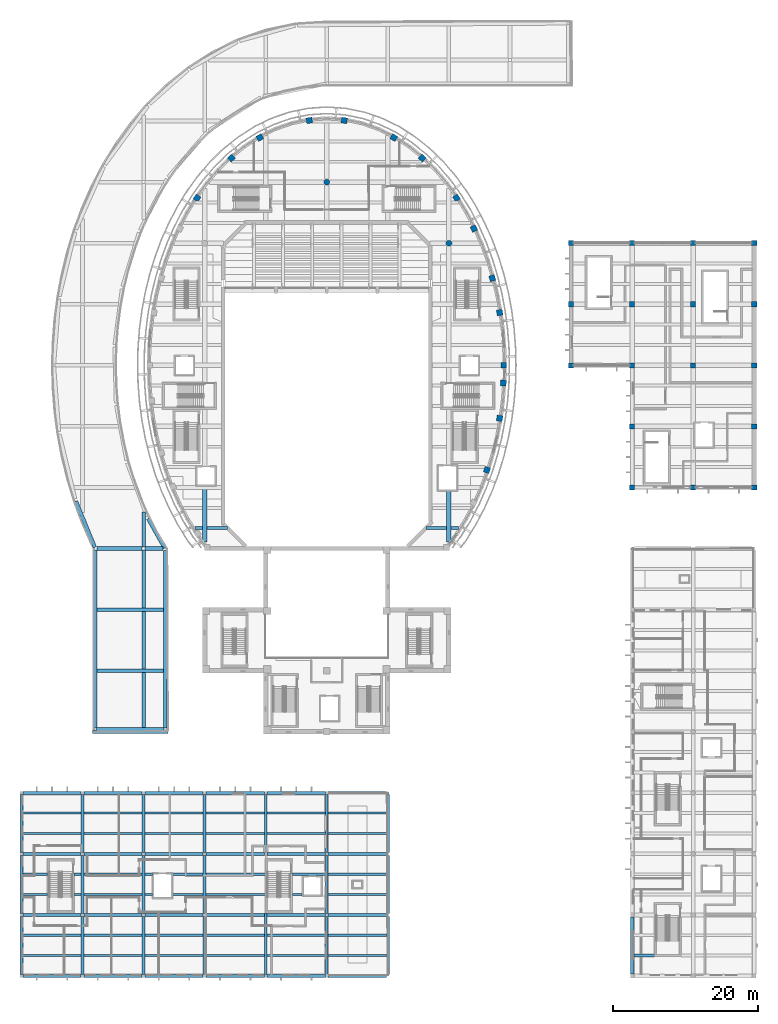
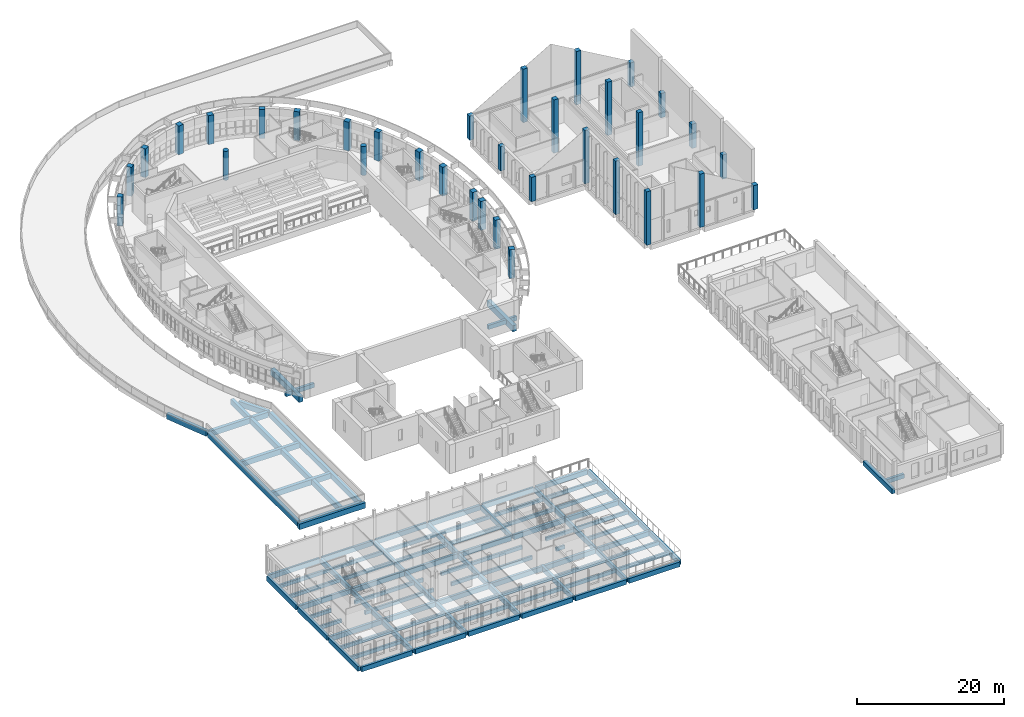
# One storey, part 2 of 79: 103 beams, 34 columns.
"""IFC4 building model written with IfcOpenShell, lengths in metres."""

import ifcopenshell
import ifcopenshell.guid

model = None  # the IFC model being written
_history = None  # IfcOwnerHistory: only IFC2X3 demands one
_inside = {}  # id of a spatial element -> (the spatial element, [elements in it])
_under = {}  # id of a project, library or spatial element -> (it, [spatial elements below it])
_declared = {}  # id of a project -> (the project, [libraries it declares])
_typed = {}  # id of a type object -> (the type object, [elements of that type])
_made_of = {}  # id of a material, layer set ... -> (it, [elements and type objects made of it])


def new_model(schema):
    """Start an empty IFC model of exactly this schema.

    Asked for "IFC4X3", IfcOpenShell would pick the latest addendum, in which some entities
    have other attributes; the version numbers below select the first issue.
    IFC2X3 requires an IfcOwnerHistory on every rooted entity: one is made here for all.
    """
    global model, _history
    if schema == "IFC4X3":
        model = ifcopenshell.file(schema_version=(4, 3, 0, 0))
    else:
        model = ifcopenshell.file(schema=schema)
    _inside.clear()
    _under.clear()
    _declared.clear()
    _typed.clear()
    _made_of.clear()
    _history = None
    if model.schema == "IFC2X3":
        org = make("IfcOrganization", Name="unknown")
        user = make(
            "IfcPersonAndOrganization",
            ThePerson=make("IfcPerson", FamilyName="unknown"),
            TheOrganization=org,
        )
        app = make(
            "IfcApplication",
            ApplicationDeveloper=org,
            Version="unknown",
            ApplicationFullName="unknown",
            ApplicationIdentifier="unknown",
        )
        _history = make(
            "IfcOwnerHistory",
            OwningUser=user,
            OwningApplication=app,
            ChangeAction="ADDED",
            CreationDate=0,
        )
    return model


def make(cls, **values):
    """One entity of the class cls with the attributes given. An attribute that is None is left unset."""
    return model.create_entity(
        cls, **{name: value for name, value in values.items() if value is not None}
    )


def rooted(cls, **values):
    """An entity with a GlobalId (a new one), such as an element, a storey or a relation."""
    return make(cls, GlobalId=ifcopenshell.guid.new(), OwnerHistory=_history, **values)


def si_unit(unit_type, name, prefix=None):
    """IfcSIUnit, for example si_unit("LENGTHUNIT", "METRE", prefix="MILLI")."""
    return make("IfcSIUnit", UnitType=unit_type, Prefix=prefix, Name=name)


def assignment(units):
    """IfcUnitAssignment: the units of a project."""
    return None if units is None else make("IfcUnitAssignment", Units=units)


def point(xyz):
    """IfcCartesianPoint."""
    return None if xyz is None else make("IfcCartesianPoint", Coordinates=xyz)


def direction(xyz):
    """IfcDirection."""
    return None if xyz is None else make("IfcDirection", DirectionRatios=xyz)


def frame(location, z_axis=None, x_axis=None):
    """IfcAxis2Placement3D, a coordinate frame: its origin and axes. An axis left out is left unset."""
    return make(
        "IfcAxis2Placement3D",
        Location=point(location),
        Axis=direction(z_axis),
        RefDirection=direction(x_axis),
    )


def frame_2d(location, x_axis=None):
    """IfcAxis2Placement2D, a coordinate frame in the plane: its origin and x axis."""
    return make(
        "IfcAxis2Placement2D", Location=point(location), RefDirection=direction(x_axis)
    )


def origin():
    """The frame at (0, 0, 0) with its axes left unset."""
    return frame((0.0, 0.0, 0.0))


def origin_2d():
    """The frame at (0, 0) in the plane with its x axis left unset."""
    return frame_2d((0.0, 0.0))


def place(relative_to, where):
    """IfcLocalPlacement: puts the frame where relative to a parent placement (None: the world)."""
    return make(
        "IfcLocalPlacement", PlacementRelTo=relative_to, RelativePlacement=where
    )


def context(
    kind, dimensions, precision=None, world=None, true_north=None, identifier=None
):
    """IfcGeometricRepresentationContext, for example the 3D "Model" context."""
    return make(
        "IfcGeometricRepresentationContext",
        ContextIdentifier=identifier,
        ContextType=kind,
        CoordinateSpaceDimension=dimensions,
        Precision=precision,
        WorldCoordinateSystem=world,
        TrueNorth=true_north,
    )


def subcontext(parent, identifier, kind, view, scale=None):
    """IfcGeometricRepresentationSubContext, for example "Body" below "Model"."""
    return make(
        "IfcGeometricRepresentationSubContext",
        ContextIdentifier=identifier,
        ContextType=kind,
        ParentContext=parent,
        TargetScale=scale,
        TargetView=view,
    )


def project(units=None, contexts=None):
    """IfcProject with its units and contexts."""
    return rooted(
        "IfcProject",
        Name="project",
        RepresentationContexts=contexts,
        UnitsInContext=assignment(units),
    )


def spatial(cls, under=None, at=None, **own):
    """A site, building, storey or space (cls), placed at a placement, below another one or the project."""
    s = rooted(cls, ObjectPlacement=at, **own)
    if under is not None:
        _under.setdefault(under.id(), (under, []))[1].append(s)
    return s


def profile(cls, at=None, kind="AREA", **sizes):
    """A parametric profile (cls). Its sizes go by their IFC names, for example OverallWidth=200.0."""
    return make(cls, ProfileType=kind, Position=at, **sizes)


def rectangle(**sizes):
    """IfcRectangleProfileDef."""
    return profile("IfcRectangleProfileDef", **sizes)


def circle(**sizes):
    """IfcCircleProfileDef."""
    return profile("IfcCircleProfileDef", **sizes)


def extrude(swept, where, along, depth):
    """IfcExtrudedAreaSolid: the profile swept, set in the frame where, extruded along a direction by depth."""
    return make(
        "IfcExtrudedAreaSolid",
        SweptArea=swept,
        Position=where,
        ExtrudedDirection=direction(along),
        Depth=depth,
    )


def shape(context_of_items, identifier, shape_type, items):
    """IfcShapeRepresentation: the items that make up one representation, for example the "Body"."""
    return make(
        "IfcShapeRepresentation",
        ContextOfItems=context_of_items,
        RepresentationIdentifier=identifier,
        RepresentationType=shape_type,
        Items=items,
    )


def material(Name=None, Category=None):
    """IfcMaterial."""
    return make("IfcMaterial", Name=Name, Category=Category)


def material_profile(
    of_material, cross_section, Name=None, Category=None, Priority=None
):
    """IfcMaterialProfile: a cross section and its material."""
    return make(
        "IfcMaterialProfile",
        Name=Name,
        Material=of_material,
        Profile=cross_section,
        Priority=Priority,
        Category=Category,
    )


def profile_set(profiles, Name=None, composite=None):
    """IfcMaterialProfileSet."""
    return make(
        "IfcMaterialProfileSet",
        Name=Name,
        MaterialProfiles=profiles,
        CompositeProfile=composite,
    )


def made_of(thing, what):
    """Note that an element or type object is made of a material, layer set ...; save() writes the relation."""
    if what is not None:
        _made_of.setdefault(what.id(), (what, []))[1].append(thing)
    return thing


def type_object(cls, material=None, **own):
    """A type object (cls), such as IfcWallType, which elements share."""
    return made_of(rooted(cls, **own), material)


def element(
    cls,
    number,
    at=None,
    inside=None,
    cuts=None,
    type_object=None,
    material=None,
    context=None,
    identifier="Body",
    shape_type=None,
    held_by="IfcProductDefinitionShape",
    body=None,
    shapes=None,
    **own,
):
    """One element of the class cls, such as IfcWall. Its Tag is "e" and its number.

    at: its placement. inside: the storey or other place that contains it. cuts: it is an
    opening in that element (IfcRelVoidsElement). A single representation is given by context,
    identifier, shape_type and body (its items); several are given by shapes. held_by: the class
    of the entity that holds the representations. save() writes the other relations.
    """
    e = rooted(cls, Tag="e%d" % number, ObjectPlacement=at, **own)
    if body is not None:
        shapes = [shape(context, identifier, shape_type, body)]
    if shapes is not None:
        e.Representation = make(held_by, Representations=shapes)
    if inside is not None:
        _inside.setdefault(inside.id(), (inside, []))[1].append(e)
    if cuts is not None:
        rooted(
            "IfcRelVoidsElement", RelatingBuildingElement=cuts, RelatedOpeningElement=e
        )
    if type_object is not None:
        _typed.setdefault(type_object.id(), (type_object, []))[1].append(e)
    return made_of(e, material)


def aggregate(whole, parts):
    """IfcRelAggregates: a whole, such as a stair, and the parts it consists of."""
    return rooted("IfcRelAggregates", RelatingObject=whole, RelatedObjects=parts)


def save(model, path):
    """Write the relations noted so far, then the file.

    IfcRelAggregates (storeys below a building ...), IfcRelContainedInSpatialStructure (elements
    in a storey), IfcRelDefinesByType, IfcRelAssociatesMaterial and IfcRelDeclares: one each for
    every whole, place, type object, material and project.
    """
    for whole, parts in _under.values():
        aggregate(whole, parts)
    for where, things in _inside.values():
        rooted(
            "IfcRelContainedInSpatialStructure",
            RelatedElements=things,
            RelatingStructure=where,
        )
    for kind, things in _typed.values():
        rooted("IfcRelDefinesByType", RelatedObjects=things, RelatingType=kind)
    for what, things in _made_of.values():
        rooted("IfcRelAssociatesMaterial", RelatedObjects=things, RelatingMaterial=what)
    for by, libraries in _declared.values():
        rooted("IfcRelDeclares", RelatingContext=by, RelatedDefinitions=libraries)
    model.write(path)


model = new_model("IFC4")

# Units and contexts
model_context = context("Model", 3, precision=1e-05, world=origin(), true_north=direction((0.0, 1.0)))
body_context = subcontext(model_context, "Body", "Model", "MODEL_VIEW")
ifc_project = project(units=[si_unit("LENGTHUNIT", "METRE"), si_unit("AREAUNIT", "SQUARE_METRE"), si_unit("VOLUMEUNIT", "CUBIC_METRE"), si_unit("PLANEANGLEUNIT", "RADIAN"), si_unit("MASSUNIT", "GRAM", prefix="KILO")], contexts=[model_context])

# Site, building, storey
site_placement = place(None, origin())
site = spatial("IfcSite", under=ifc_project, at=site_placement, CompositionType="ELEMENT")
building_placement = place(site_placement, origin())
building = spatial("IfcBuilding", under=site, at=building_placement, Name="Larchfold Concert Hall", CompositionType="ELEMENT")
storey_placement = place(building_placement, frame((0.0, 0.0, 14.39990234375)))
storey = spatial("IfcBuildingStorey", under=building, at=storey_placement, Name="L03", CompositionType="ELEMENT", Elevation=14.39990234375)

# Columns
ifc_material_1 = material(Name="Concrete C35/45", Category="concrete")
ifc_material_profile_1 = material_profile(ifc_material_1, rectangle(XDim=0.699951171875, YDim=0.699951171875, at=origin_2d()))
ifc_profile_set_1 = profile_set([ifc_material_profile_1], Name="Concrete C35/45")
column_type_1 = type_object("IfcColumnType", Name="Column RC 700x700", PredefinedType="COLUMN", material=ifc_profile_set_1)
for number, where, z_axis, x_axis, name in (
    (1, (76.199951171875, 84.60009765625, 0.0), (0.0, 0.0, 1.0), (1.0, 0.0, 0.0), "Column C0045"),
    (2, (76.199951171875, 93.0, 0.0), (0.0, 0.0, 1.0), (1.0, 0.0, 0.0), "Column C0046"),
    (3, (76.199951171875, 101.39990234375, 0.0), (0.0, 0.0, 1.0), (1.0, 0.0, 0.0), "Column C0047"),
):
    element("IfcColumn", number, at=place(storey_placement, frame(where, z_axis=z_axis, x_axis=x_axis)), inside=storey, type_object=column_type_1, Name=name, PredefinedType="COLUMN", context=body_context, shape_type="SweptSolid", body=[
        extrude(rectangle(XDim=0.699951171875, YDim=0.699951171875, at=origin_2d()), origin(), (0.0, 0.0, 1.0), 4.024658203125),
    ])
for number, where, z_axis, x_axis, name in (
    (4, (84.60009765625, 67.800048828125, 0.0), (0.0, 0.0, 1.0), (1.0, 0.0, 0.0), "Column C0048"),
    (5, (84.60009765625, 76.199951171875, 0.0), (0.0, 0.0, 1.0), (1.0, 0.0, 0.0), "Column C0049"),
    (6, (84.60009765625, 84.60009765625, 0.0), (0.0, 0.0, 1.0), (1.0, 0.0, 0.0), "Column C0050"),
    (7, (84.60009765625, 93.0, 0.0), (0.0, 0.0, 1.0), (1.0, 0.0, 0.0), "Column C0051"),
    (8, (84.60009765625, 101.39990234375, 0.0), (0.0, 0.0, 1.0), (1.0, 0.0, 0.0), "Column C0052"),
    (9, (93.0, 67.800048828125, 0.0), (0.0, 0.0, 1.0), (1.0, 0.0, 0.0), "Column C0053"),
    (10, (93.0, 84.60009765625, 0.0), (0.0, 0.0, 1.0), (1.0, 0.0, 0.0), "Column C0054"),
    (11, (93.0, 93.0, 0.0), (0.0, 0.0, 1.0), (1.0, 0.0, 0.0), "Column C0055"),
    (12, (93.0, 101.39990234375, 0.0), (0.0, 0.0, 1.0), (1.0, 0.0, 0.0), "Column C0056"),
):
    element("IfcColumn", number, at=place(storey_placement, frame(where, z_axis=z_axis, x_axis=x_axis)), inside=storey, type_object=column_type_1, Name=name, PredefinedType="COLUMN", context=body_context, shape_type="SweptSolid", body=[
        extrude(rectangle(XDim=0.699951171875, YDim=0.699951171875, at=origin_2d()), origin(), (0.0, 0.0, 1.0), 8.874267578125),
    ])
for number, where, z_axis, x_axis, name in (
    (13, (101.39990234375, 67.800048828125, 0.0), (0.0, 0.0, 1.0), (1.0, 0.0, 0.0), "Column C0057"),
    (14, (101.39990234375, 76.199951171875, 0.0), (0.0, 0.0, 1.0), (1.0, 0.0, 0.0), "Column C0058"),
    (15, (101.39990234375, 84.60009765625, 0.0), (0.0, 0.0, 1.0), (1.0, 0.0, 0.0), "Column C0059"),
    (16, (101.39990234375, 93.0, 0.0), (0.0, 0.0, 1.0), (1.0, 0.0, 0.0), "Column C0060"),
    (17, (101.39990234375, 101.39990234375, 0.0), (0.0, 0.0, 1.0), (1.0, 0.0, 0.0), "Column C0061"),
):
    element("IfcColumn", number, at=place(storey_placement, frame(where, z_axis=z_axis, x_axis=x_axis)), inside=storey, type_object=column_type_1, Name=name, PredefinedType="COLUMN", context=body_context, shape_type="SweptSolid", body=[
        extrude(rectangle(XDim=0.699951171875, YDim=0.699951171875, at=origin_2d()), origin(), (0.0, 0.0, 1.0), 4.024658203125),
    ])
ifc_material_2 = material(Name="Concrete C35/45", Category="concrete")
ifc_material_profile_2 = material_profile(ifc_material_2, rectangle(XDim=0.800048828125, YDim=0.800048828125, at=origin_2d()))
ifc_profile_set_2 = profile_set([ifc_material_profile_2], Name="Concrete C35/45")
column_type_2 = type_object("IfcColumnType", Name="Column RC 800x800", PredefinedType="COLUMN", material=ifc_profile_set_2)
for number, where, z_axis, x_axis, name in (
    (18, (66.9501953125, 84.60009765625, 0.0), (0.0, 0.0, 1.0), (0.999999999998, 2.069699e-06, 0.0), "Column C9001"),
    (19, (66.384765625, 91.849609375, 0.0), (0.0, 0.0, 1.0), (0.987778077668, 0.155866831876, 0.0), "Column C9002"),
    (20, (65.3701171875, 96.591796875, 0.0), (0.0, 0.0, 1.0), (0.964788079418, 0.263028442973, 0.0), "Column C9003"),
    (21, (62.845458984375, 103.404296875, 0.0), (0.0, 0.0, 1.0), (0.901263073046, 0.433272285247, 0.0), "Column C9004"),
    (22, (60.453369140625, 107.615478515625, 0.0), (0.0, 0.0, 1.0), (0.831867887413, 0.55497370919, 0.0), "Column C9005"),
    (23, (55.727783203125, 113.10693359375, 0.0), (0.0, 0.0, 1.0), (0.664881649498, 0.746948721239, 0.0), "Column C9006"),
    (24, (51.81298828125, 115.932373046875, 0.0), (0.0, 0.0, 1.0), (0.494204498977, 0.869345681068, 0.0), "Column C9007"),
    (25, (45.006103515625, 118.2841796875, 0.0), (0.0, 0.0, 1.0), (0.13683054479, 0.990594468999, 0.0), "Column C9008"),
    (26, (40.194091796875, 118.2841796875, 0.0), (0.0, 0.0, 1.0), (0.990595961709, 0.136819737776, 0.0), "Column C9009"),
    (27, (33.38720703125, 115.932373046875, 0.0), (0.0, 0.0, 1.0), (0.869350146356, 0.49419664409, 0.0), "Column C9010"),
    (28, (29.47216796875, 113.10693359375, 0.0), (0.0, 0.0, 1.0), (0.746953596831, 0.664876172066, 0.0), "Column C9011"),
    (29, (24.746826171875, 107.615478515625, 0.0), (0.0, 0.0, 1.0), (0.554977881431, 0.831865103922, 0.0), "Column C9012"),
    (30, (64.636474609375, 70.2021484375, 0.0), (0.0, 0.0, 1.0), (0.320382697349, 0.947288196506, 0.0), "Column C9024"),
    (31, (66.377685546875, 77.3056640625, 0.0), (0.0, 0.0, 1.0), (0.156847117791, 0.987622894449, 0.0), "Column C9025"),
    (32, (66.88671875, 82.15966796875, 0.0), (0.0, 0.0, 1.0), (0.051949743743, 0.998649700408, 0.0), "Column C9026"),
):
    element("IfcColumn", number, at=place(storey_placement, frame(where, z_axis=z_axis, x_axis=x_axis)), inside=storey, type_object=column_type_2, Name=name, PredefinedType="COLUMN", context=body_context, shape_type="SweptSolid", body=[
        extrude(rectangle(XDim=0.800048828125, YDim=0.800048828125, at=origin_2d()), origin(), (0.0, 0.0, 1.0), 4.800048828125),
    ])
ifc_material_3 = material(Name="Concrete C35/45", Category="concrete")
ifc_material_profile_3 = material_profile(ifc_material_3, circle(Radius=0.39990234375, at=origin_2d()))
ifc_profile_set_3 = profile_set([ifc_material_profile_3], Name="Concrete C35/45")
column_type_3 = type_object("IfcColumnType", Name="Column RC D800", PredefinedType="COLUMN", material=ifc_profile_set_3)
for number, where, z_axis, x_axis, name in (
    (33, (42.60009765625, 109.800048828125, 0.0), (0.0, 0.0, 1.0), (1.0, 0.0, 0.0), "Column RC2698"),
    (34, (59.39990234375, 101.39990234375, 0.0), (0.0, 0.0, 1.0), (1.0, 0.0, 0.0), "Column RC9414"),
):
    element("IfcColumn", number, at=place(storey_placement, frame(where, z_axis=z_axis, x_axis=x_axis)), inside=storey, type_object=column_type_3, Name=name, PredefinedType="COLUMN", context=body_context, shape_type="SweptSolid", body=[
        extrude(circle(Radius=0.39990234375, at=origin_2d()), origin(), (0.0, 0.0, 1.0), 4.800048828125),
    ])

# Beams
ifc_material_4 = material(Name="Concrete C35/45", Category="concrete")
ifc_material_profile_4 = material_profile(ifc_material_4, rectangle(XDim=0.300048828125, YDim=0.60009765625, at=origin_2d()))
ifc_profile_set_4 = profile_set([ifc_material_profile_4], Name="Concrete C35/45")
beam_type_1 = type_object("IfcBeamType", Name="Beam RC 300x600", PredefinedType="BEAM", material=ifc_profile_set_4)
for number, where, z_axis, x_axis, name in (
    (35, (0.800048828125, 3.39990234375, -0.4599609375), (1.0, 0.0, 0.0), (0.0, 1.0, 0.0), "Beam B0332"),
    (36, (9.199951171875, 3.39990234375, -0.4599609375), (1.0, 0.0, 0.0), (0.0, 1.0, 0.0), "Beam B0333"),
    (37, (17.60009765625, 3.39990234375, -0.4599609375), (1.0, 0.0, 0.0), (0.0, 1.0, 0.0), "Beam B0334"),
    (38, (26.0, 3.39990234375, -0.4599609375), (1.0, 0.0, 0.0), (0.0, 1.0, 0.0), "Beam B0335"),
    (39, (34.39990234375, 3.39990234375, -0.4599609375), (1.0, 0.0, 0.0), (0.0, 1.0, 0.0), "Beam B0336"),
    (40, (42.800048828125, 3.39990234375, -0.4599609375), (1.0, 0.0, 0.0), (0.0, 1.0, 0.0), "Beam B0337"),
    (41, (0.800048828125, 6.199951171875, -0.4599609375), (1.0, 0.0, 0.0), (0.0, 1.0, 0.0), "Beam B0338"),
    (42, (9.199951171875, 6.199951171875, -0.4599609375), (1.0, 0.0, 0.0), (0.0, 1.0, 0.0), "Beam B0339"),
    (43, (17.60009765625, 6.199951171875, -0.4599609375), (1.0, 0.0, 0.0), (0.0, 1.0, 0.0), "Beam B0340"),
    (44, (26.0, 6.199951171875, -0.4599609375), (1.0, 0.0, 0.0), (0.0, 1.0, 0.0), "Beam B0341"),
    (45, (34.39990234375, 6.199951171875, -0.4599609375), (1.0, 0.0, 0.0), (0.0, 1.0, 0.0), "Beam B0342"),
    (46, (42.800048828125, 6.199951171875, -0.4599609375), (1.0, 0.0, 0.0), (0.0, 1.0, 0.0), "Beam B0343"),
):
    element("IfcBeam", number, at=place(storey_placement, frame(where, z_axis=z_axis, x_axis=x_axis)), inside=storey, type_object=beam_type_1, Name=name, PredefinedType="BEAM", context=body_context, shape_type="SweptSolid", body=[
        extrude(rectangle(XDim=0.300048828125, YDim=0.60009765625, at=origin_2d()), origin(), (0.0, 0.0, 1.0), 8.0),
    ])
beam_1_placement = place(storey_placement, frame((0.800048828125, 11.800048828125, -0.4599609375), z_axis=(1.0, 0.0, 0.0), x_axis=(0.0, 1.0, 0.0)))
element("IfcBeam", 47, at=beam_1_placement, inside=storey, type_object=beam_type_1, Name="Beam B0344", PredefinedType="BEAM", context=body_context, shape_type="SweptSolid", body=[
    extrude(rectangle(XDim=0.300048828125, YDim=0.60009765625, at=origin_2d()), origin(), (0.0, 0.0, 1.0), 3.349853515625),
])
beam_2_placement = place(storey_placement, frame((7.85009765625, 11.800048828125, -0.4599609375), z_axis=(1.0, 0.0, 0.0), x_axis=(0.0, 1.0, 0.0)))
element("IfcBeam", 48, at=beam_2_placement, inside=storey, type_object=beam_type_1, Name="Beam B0345", PredefinedType="BEAM", context=body_context, shape_type="SweptSolid", body=[
    extrude(rectangle(XDim=0.300048828125, YDim=0.60009765625, at=origin_2d()), origin(), (0.0, 0.0, 1.0), 0.949951171875),
])
beam_3_placement = place(storey_placement, frame((9.199951171875, 11.800048828125, -0.4599609375), z_axis=(1.0, 0.0, 0.0), x_axis=(0.0, 1.0, 0.0)))
element("IfcBeam", 49, at=beam_3_placement, inside=storey, type_object=beam_type_1, Name="Beam B0346", PredefinedType="BEAM", context=body_context, shape_type="SweptSolid", body=[
    extrude(rectangle(XDim=0.300048828125, YDim=0.60009765625, at=origin_2d()), origin(), (0.0, 0.0, 1.0), 8.0),
])
beam_4_placement = place(storey_placement, frame((17.60009765625, 11.800048828125, -0.4599609375), z_axis=(1.0, 0.0, 0.0), x_axis=(0.0, 1.0, 0.0)))
element("IfcBeam", 50, at=beam_4_placement, inside=storey, type_object=beam_type_1, Name="Beam B0347", PredefinedType="BEAM", context=body_context, shape_type="SweptSolid", body=[
    extrude(rectangle(XDim=0.300048828125, YDim=0.60009765625, at=origin_2d()), origin(), (0.0, 0.0, 1.0), 1.0),
])
beam_5_placement = place(storey_placement, frame((21.39990234375, 11.800048828125, -0.4599609375), z_axis=(1.0, 0.0, 0.0), x_axis=(0.0, 1.0, 0.0)))
element("IfcBeam", 51, at=beam_5_placement, inside=storey, type_object=beam_type_1, Name="Beam B0348", PredefinedType="BEAM", context=body_context, shape_type="SweptSolid", body=[
    extrude(rectangle(XDim=0.300048828125, YDim=0.60009765625, at=origin_2d()), origin(), (0.0, 0.0, 1.0), 4.2001953125),
])
beam_6_placement = place(storey_placement, frame((26.0, 11.800048828125, -0.4599609375), z_axis=(1.0, 0.0, 0.0), x_axis=(0.0, 1.0, 0.0)))
element("IfcBeam", 52, at=beam_6_placement, inside=storey, type_object=beam_type_1, Name="Beam B0349", PredefinedType="BEAM", context=body_context, shape_type="SweptSolid", body=[
    extrude(rectangle(XDim=0.300048828125, YDim=0.60009765625, at=origin_2d()), origin(), (0.0, 0.0, 1.0), 8.14990234375),
])
beam_7_placement = place(storey_placement, frame((37.85009765625, 11.800048828125, -0.4599609375), z_axis=(1.0, 0.0, 0.0), x_axis=(0.0, 1.0, 0.0)))
element("IfcBeam", 53, at=beam_7_placement, inside=storey, type_object=beam_type_1, Name="Beam B0350", PredefinedType="BEAM", context=body_context, shape_type="SweptSolid", body=[
    extrude(rectangle(XDim=0.300048828125, YDim=0.60009765625, at=origin_2d()), origin(), (0.0, 0.0, 1.0), 1.349853515625),
])
beam_8_placement = place(storey_placement, frame((42.800048828125, 11.800048828125, -0.4599609375), z_axis=(1.0, 0.0, 0.0), x_axis=(0.0, 1.0, 0.0)))
element("IfcBeam", 54, at=beam_8_placement, inside=storey, type_object=beam_type_1, Name="Beam B0351", PredefinedType="BEAM", context=body_context, shape_type="SweptSolid", body=[
    extrude(rectangle(XDim=0.300048828125, YDim=0.60009765625, at=origin_2d()), origin(), (0.0, 0.0, 1.0), 8.0),
])
beam_9_placement = place(storey_placement, frame((0.800048828125, 14.60009765625, -0.4599609375), z_axis=(1.0, 0.0, 0.0), x_axis=(0.0, 1.0, 0.0)))
element("IfcBeam", 55, at=beam_9_placement, inside=storey, type_object=beam_type_1, Name="Beam B0352", PredefinedType="BEAM", context=body_context, shape_type="SweptSolid", body=[
    extrude(rectangle(XDim=0.300048828125, YDim=0.60009765625, at=origin_2d()), origin(), (0.0, 0.0, 1.0), 3.349853515625),
])
beam_10_placement = place(storey_placement, frame((7.85009765625, 14.60009765625, -0.4599609375), z_axis=(1.0, 0.0, 0.0), x_axis=(0.0, 1.0, 0.0)))
element("IfcBeam", 56, at=beam_10_placement, inside=storey, type_object=beam_type_1, Name="Beam B0353", PredefinedType="BEAM", context=body_context, shape_type="SweptSolid", body=[
    extrude(rectangle(XDim=0.300048828125, YDim=0.60009765625, at=origin_2d()), origin(), (0.0, 0.0, 1.0), 0.949951171875),
])
beam_11_placement = place(storey_placement, frame((9.199951171875, 14.60009765625, -0.4599609375), z_axis=(1.0, 0.0, 0.0), x_axis=(0.0, 1.0, 0.0)))
element("IfcBeam", 57, at=beam_11_placement, inside=storey, type_object=beam_type_1, Name="Beam B0354", PredefinedType="BEAM", context=body_context, shape_type="SweptSolid", body=[
    extrude(rectangle(XDim=0.300048828125, YDim=0.60009765625, at=origin_2d()), origin(), (0.0, 0.0, 1.0), 8.0),
])
beam_12_placement = place(storey_placement, frame((17.60009765625, 14.60009765625, -0.4599609375), z_axis=(1.0, 0.0, 0.0), x_axis=(0.0, 1.0, 0.0)))
element("IfcBeam", 58, at=beam_12_placement, inside=storey, type_object=beam_type_1, Name="Beam B0355", PredefinedType="BEAM", context=body_context, shape_type="SweptSolid", body=[
    extrude(rectangle(XDim=0.300048828125, YDim=0.60009765625, at=origin_2d()), origin(), (0.0, 0.0, 1.0), 1.0),
])
beam_13_placement = place(storey_placement, frame((21.39990234375, 14.60009765625, -0.4599609375), z_axis=(1.0, 0.0, 0.0), x_axis=(0.0, 1.0, 0.0)))
element("IfcBeam", 59, at=beam_13_placement, inside=storey, type_object=beam_type_1, Name="Beam B0356", PredefinedType="BEAM", context=body_context, shape_type="SweptSolid", body=[
    extrude(rectangle(XDim=0.300048828125, YDim=0.60009765625, at=origin_2d()), origin(), (0.0, 0.0, 1.0), 4.2001953125),
])
beam_14_placement = place(storey_placement, frame((26.0, 14.60009765625, -0.4599609375), z_axis=(1.0, 0.0, 0.0), x_axis=(0.0, 1.0, 0.0)))
element("IfcBeam", 60, at=beam_14_placement, inside=storey, type_object=beam_type_1, Name="Beam B0357", PredefinedType="BEAM", context=body_context, shape_type="SweptSolid", body=[
    extrude(rectangle(XDim=0.300048828125, YDim=0.60009765625, at=origin_2d()), origin(), (0.0, 0.0, 1.0), 8.14990234375),
])
beam_15_placement = place(storey_placement, frame((37.85009765625, 14.60009765625, -0.4599609375), z_axis=(1.0, 0.0, 0.0), x_axis=(0.0, 1.0, 0.0)))
element("IfcBeam", 61, at=beam_15_placement, inside=storey, type_object=beam_type_1, Name="Beam B0358", PredefinedType="BEAM", context=body_context, shape_type="SweptSolid", body=[
    extrude(rectangle(XDim=0.300048828125, YDim=0.60009765625, at=origin_2d()), origin(), (0.0, 0.0, 1.0), 4.5498046875),
])
for number, where, z_axis, x_axis, name in (
    (62, (42.800048828125, 14.60009765625, -0.4599609375), (1.0, 0.0, 0.0), (0.0, 1.0, 0.0), "Beam B0359"),
    (63, (0.800048828125, 20.199951171875, -0.4599609375), (1.0, 0.0, 0.0), (0.0, 1.0, 0.0), "Beam B0360"),
    (64, (9.199951171875, 20.199951171875, -0.4599609375), (1.0, 0.0, 0.0), (0.0, 1.0, 0.0), "Beam B0361"),
    (65, (17.60009765625, 20.199951171875, -0.4599609375), (1.0, 0.0, 0.0), (0.0, 1.0, 0.0), "Beam B0362"),
    (66, (26.0, 20.199951171875, -0.4599609375), (1.0, 0.0, 0.0), (0.0, 1.0, 0.0), "Beam B0363"),
    (67, (34.39990234375, 20.199951171875, -0.4599609375), (1.0, 0.0, 0.0), (0.0, 1.0, 0.0), "Beam B0364"),
    (68, (42.800048828125, 20.199951171875, -0.4599609375), (1.0, 0.0, 0.0), (0.0, 1.0, 0.0), "Beam B0365"),
    (69, (0.800048828125, 23.0, -0.4599609375), (1.0, 0.0, 0.0), (0.0, 1.0, 0.0), "Beam B0366"),
    (70, (9.199951171875, 23.0, -0.4599609375), (1.0, 0.0, 0.0), (0.0, 1.0, 0.0), "Beam B0367"),
    (71, (17.60009765625, 23.0, -0.4599609375), (1.0, 0.0, 0.0), (0.0, 1.0, 0.0), "Beam B0368"),
    (72, (26.0, 23.0, -0.4599609375), (1.0, 0.0, 0.0), (0.0, 1.0, 0.0), "Beam B0369"),
    (73, (34.39990234375, 23.0, -0.4599609375), (1.0, 0.0, 0.0), (0.0, 1.0, 0.0), "Beam B0370"),
    (74, (42.800048828125, 23.0, -0.4599609375), (1.0, 0.0, 0.0), (0.0, 1.0, 0.0), "Beam B0371"),
):
    element("IfcBeam", number, at=place(storey_placement, frame(where, z_axis=z_axis, x_axis=x_axis)), inside=storey, type_object=beam_type_1, Name=name, PredefinedType="BEAM", context=body_context, shape_type="SweptSolid", body=[
        extrude(rectangle(XDim=0.300048828125, YDim=0.60009765625, at=origin_2d()), origin(), (0.0, 0.0, 1.0), 8.0),
    ])
ifc_material_5 = material(Name="Concrete C35/45", Category="concrete")
ifc_material_profile_5 = material_profile(ifc_material_5, rectangle(XDim=0.39990234375, YDim=0.699951171875, at=origin_2d()))
ifc_profile_set_5 = profile_set([ifc_material_profile_5], Name="Concrete C35/45")
beam_type_2 = type_object("IfcBeamType", Name="Beam RC 400x700", PredefinedType="BEAM", material=ifc_profile_set_5)
beam_16_placement = place(storey_placement, frame((84.85009765625, 3.39990234375, -0.510009765625), z_axis=(1.0, 0.0, 0.0), x_axis=(0.0, 1.0, 0.0)))
element("IfcBeam", 75, at=beam_16_placement, inside=storey, type_object=beam_type_2, Name="Beam B0698", PredefinedType="BEAM", context=body_context, shape_type="SweptSolid", body=[
    extrude(rectangle(XDim=0.39990234375, YDim=0.699951171875, at=origin_2d()), origin(), (0.0, 0.0, 1.0), 2.7998046875),
])
beam_17_placement = place(storey_placement, frame((24.465087890625, 62.199951171875, -0.5498046875), z_axis=(1.0, 0.0, 0.0), x_axis=(0.0, 1.0, 0.0)))
element("IfcBeam", 76, at=beam_17_placement, inside=storey, type_object=beam_type_2, Name="Beam B1386", PredefinedType="BEAM", context=body_context, shape_type="SweptSolid", body=[
    extrude(rectangle(XDim=0.39990234375, YDim=0.699951171875, at=origin_2d()), origin(), (0.0, 0.0, 1.0), 1.034912109375),
])
for number, where, z_axis, x_axis, name in (
    (77, (26.10009765625, 62.199951171875, -0.5498046875), (1.0, 0.0, 0.0), (0.0, 1.0, 0.0), "Beam B1387"),
    (78, (56.26416015625, 62.199951171875, -0.5498046875), (1.0, 0.0, 0.0), (0.0, 1.0, 0.0), "Beam B1388"),
):
    element("IfcBeam", number, at=place(storey_placement, frame(where, z_axis=z_axis, x_axis=x_axis)), inside=storey, type_object=beam_type_2, Name=name, PredefinedType="BEAM", context=body_context, shape_type="SweptSolid", body=[
        extrude(rectangle(XDim=0.39990234375, YDim=0.699951171875, at=origin_2d()), origin(), (0.0, 0.0, 1.0), 2.8359375),
    ])
beam_18_placement = place(storey_placement, frame((59.699951171875, 62.199951171875, -0.5498046875), z_axis=(1.0, 0.0, 0.0), x_axis=(0.0, 1.0, 0.0)))
element("IfcBeam", 79, at=beam_18_placement, inside=storey, type_object=beam_type_2, Name="Beam B1389", PredefinedType="BEAM", context=body_context, shape_type="SweptSolid", body=[
    extrude(rectangle(XDim=0.39990234375, YDim=0.699951171875, at=origin_2d()), origin(), (0.0, 0.0, 1.0), 1.03515625),
])
ifc_material_6 = material(Name="Concrete C35/45", Category="concrete")
ifc_material_profile_6 = material_profile(ifc_material_6, rectangle(XDim=0.39990234375, YDim=0.800048828125, at=origin_2d()))
ifc_profile_set_6 = profile_set([ifc_material_profile_6], Name="Concrete C35/45")
beam_type_3 = type_object("IfcBeamType", Name="Beam RC 400x800", PredefinedType="BEAM", material=ifc_profile_set_6)
for number, where, z_axis, x_axis, name in (
    (80, (0.60009765625, 0.800048828125, -0.559814453125), (0.0, 1.0, 0.0), (-1.0, 0.0, 0.0), "Beam B0289"),
    (81, (0.60009765625, 9.199951171875, -0.559814453125), (0.0, 1.0, 0.0), (-1.0, 0.0, 0.0), "Beam B0290"),
    (82, (0.60009765625, 17.60009765625, -0.559814453125), (0.0, 1.0, 0.0), (-1.0, 0.0, 0.0), "Beam B0291"),
    (83, (9.0, 0.800048828125, -0.559814453125), (0.0, 1.0, 0.0), (-1.0, 0.0, 0.0), "Beam B0292"),
    (84, (9.0, 9.199951171875, -0.559814453125), (0.0, 1.0, 0.0), (-1.0, 0.0, 0.0), "Beam B0293"),
    (85, (9.0, 17.60009765625, -0.559814453125), (0.0, 1.0, 0.0), (-1.0, 0.0, 0.0), "Beam B0294"),
    (86, (17.39990234375, 0.800048828125, -0.559814453125), (0.0, 1.0, 0.0), (-1.0, 0.0, 0.0), "Beam B0295"),
    (87, (17.39990234375, 9.199951171875, -0.559814453125), (0.0, 1.0, 0.0), (-1.0, 0.0, 0.0), "Beam B0296"),
    (88, (17.39990234375, 17.60009765625, -0.559814453125), (0.0, 1.0, 0.0), (-1.0, 0.0, 0.0), "Beam B0297"),
    (89, (25.800048828125, 0.800048828125, -0.559814453125), (0.0, 1.0, 0.0), (-1.0, 0.0, 0.0), "Beam B0298"),
    (90, (25.800048828125, 9.199951171875, -0.559814453125), (0.0, 1.0, 0.0), (-1.0, 0.0, 0.0), "Beam B0299"),
    (91, (25.800048828125, 17.60009765625, -0.559814453125), (0.0, 1.0, 0.0), (-1.0, 0.0, 0.0), "Beam B0300"),
):
    element("IfcBeam", number, at=place(storey_placement, frame(where, z_axis=z_axis, x_axis=x_axis)), inside=storey, type_object=beam_type_3, Name=name, PredefinedType="BEAM", context=body_context, shape_type="SweptSolid", body=[
        extrude(rectangle(XDim=0.39990234375, YDim=0.800048828125, at=origin_2d()), origin(), (0.0, 0.0, 1.0), 8.0),
    ])
beam_19_placement = place(storey_placement, frame((34.199951171875, 0.800048828125, -0.559814453125), z_axis=(0.0, 1.0, 0.0), x_axis=(-1.0, 0.0, 0.0)))
element("IfcBeam", 92, at=beam_19_placement, inside=storey, type_object=beam_type_3, Name="Beam B0301", PredefinedType="BEAM", context=body_context, shape_type="SweptSolid", body=[
    extrude(rectangle(XDim=0.39990234375, YDim=0.800048828125, at=origin_2d()), origin(), (0.0, 0.0, 1.0), 8.5),
])
for number, where, z_axis, x_axis, name in (
    (93, (34.199951171875, 17.60009765625, -0.559814453125), (0.0, 1.0, 0.0), (-1.0, 0.0, 0.0), "Beam B0302"),
    (94, (42.60009765625, 0.800048828125, -0.559814453125), (0.0, 1.0, 0.0), (-1.0, 0.0, 0.0), "Beam B0303"),
    (95, (42.60009765625, 9.199951171875, -0.559814453125), (0.0, 1.0, 0.0), (-1.0, 0.0, 0.0), "Beam B0304"),
    (96, (42.60009765625, 17.60009765625, -0.559814453125), (0.0, 1.0, 0.0), (-1.0, 0.0, 0.0), "Beam B0305"),
    (97, (51.0, 0.800048828125, -0.559814453125), (0.0, 1.0, 0.0), (-1.0, 0.0, 0.0), "Beam B0306"),
    (98, (51.0, 9.199951171875, -0.559814453125), (0.0, 1.0, 0.0), (-1.0, 0.0, 0.0), "Beam B0307"),
    (99, (51.0, 17.60009765625, -0.559814453125), (0.0, 1.0, 0.0), (-1.0, 0.0, 0.0), "Beam B0308"),
    (100, (0.800048828125, 0.60009765625, -0.559814453125), (1.0, 0.0, 0.0), (0.0, 1.0, 0.0), "Beam B0309"),
    (101, (9.199951171875, 0.60009765625, -0.559814453125), (1.0, 0.0, 0.0), (0.0, 1.0, 0.0), "Beam B0310"),
    (102, (17.60009765625, 0.60009765625, -0.559814453125), (1.0, 0.0, 0.0), (0.0, 1.0, 0.0), "Beam B0311"),
    (103, (26.0, 0.60009765625, -0.559814453125), (1.0, 0.0, 0.0), (0.0, 1.0, 0.0), "Beam B0312"),
    (104, (34.39990234375, 0.60009765625, -0.559814453125), (1.0, 0.0, 0.0), (0.0, 1.0, 0.0), "Beam B0313"),
    (105, (42.800048828125, 0.60009765625, -0.559814453125), (1.0, 0.0, 0.0), (0.0, 1.0, 0.0), "Beam B0314"),
    (106, (0.800048828125, 9.0, -0.559814453125), (1.0, 0.0, 0.0), (0.0, 1.0, 0.0), "Beam B0315"),
    (107, (9.199951171875, 9.0, -0.559814453125), (1.0, 0.0, 0.0), (0.0, 1.0, 0.0), "Beam B0316"),
    (108, (17.60009765625, 9.0, -0.559814453125), (1.0, 0.0, 0.0), (0.0, 1.0, 0.0), "Beam B0317"),
):
    element("IfcBeam", number, at=place(storey_placement, frame(where, z_axis=z_axis, x_axis=x_axis)), inside=storey, type_object=beam_type_3, Name=name, PredefinedType="BEAM", context=body_context, shape_type="SweptSolid", body=[
        extrude(rectangle(XDim=0.39990234375, YDim=0.800048828125, at=origin_2d()), origin(), (0.0, 0.0, 1.0), 8.0),
    ])
beam_20_placement = place(storey_placement, frame((26.0, 9.0, -0.559814453125), z_axis=(1.0, 0.0, 0.0), x_axis=(0.0, 1.0, 0.0)))
element("IfcBeam", 109, at=beam_20_placement, inside=storey, type_object=beam_type_3, Name="Beam B0318", PredefinedType="BEAM", context=body_context, shape_type="SweptSolid", body=[
    extrude(rectangle(XDim=0.39990234375, YDim=0.800048828125, at=origin_2d()), origin(), (0.0, 0.0, 1.0), 16.39990234375),
])
for number, where, z_axis, x_axis, name in (
    (110, (42.800048828125, 9.0, -0.559814453125), (1.0, 0.0, 0.0), (0.0, 1.0, 0.0), "Beam B0319"),
    (111, (0.800048828125, 17.39990234375, -0.559814453125), (1.0, 0.0, 0.0), (0.0, 1.0, 0.0), "Beam B0320"),
    (112, (9.199951171875, 17.39990234375, -0.559814453125), (1.0, 0.0, 0.0), (0.0, 1.0, 0.0), "Beam B0321"),
    (113, (17.60009765625, 17.39990234375, -0.559814453125), (1.0, 0.0, 0.0), (0.0, 1.0, 0.0), "Beam B0322"),
    (114, (26.0, 17.39990234375, -0.559814453125), (1.0, 0.0, 0.0), (0.0, 1.0, 0.0), "Beam B0323"),
    (115, (34.39990234375, 17.39990234375, -0.559814453125), (1.0, 0.0, 0.0), (0.0, 1.0, 0.0), "Beam B0324"),
    (116, (42.800048828125, 17.39990234375, -0.559814453125), (1.0, 0.0, 0.0), (0.0, 1.0, 0.0), "Beam B0325"),
    (117, (0.800048828125, 25.800048828125, -0.559814453125), (1.0, 0.0, 0.0), (0.0, 1.0, 0.0), "Beam B0326"),
    (118, (9.199951171875, 25.800048828125, -0.559814453125), (1.0, 0.0, 0.0), (0.0, 1.0, 0.0), "Beam B0327"),
    (119, (17.60009765625, 25.800048828125, -0.559814453125), (1.0, 0.0, 0.0), (0.0, 1.0, 0.0), "Beam B0328"),
    (120, (26.0, 25.800048828125, -0.559814453125), (1.0, 0.0, 0.0), (0.0, 1.0, 0.0), "Beam B0329"),
    (121, (34.39990234375, 25.800048828125, -0.559814453125), (1.0, 0.0, 0.0), (0.0, 1.0, 0.0), "Beam B0330"),
    (122, (42.800048828125, 25.800048828125, -0.559814453125), (1.0, 0.0, 0.0), (0.0, 1.0, 0.0), "Beam B0331"),
):
    element("IfcBeam", number, at=place(storey_placement, frame(where, z_axis=z_axis, x_axis=x_axis)), inside=storey, type_object=beam_type_3, Name=name, PredefinedType="BEAM", context=body_context, shape_type="SweptSolid", body=[
        extrude(rectangle(XDim=0.39990234375, YDim=0.800048828125, at=origin_2d()), origin(), (0.0, 0.0, 1.0), 8.0),
    ])
ifc_material_7 = material(Name="Concrete C35/45", Category="concrete")
ifc_material_profile_7 = material_profile(ifc_material_7, rectangle(XDim=0.5, YDim=0.800048828125, at=origin_2d()))
ifc_profile_set_7 = profile_set([ifc_material_profile_7], Name="Concrete C35/45")
beam_type_4 = type_object("IfcBeamType", Name="Beam RC 500x800", PredefinedType="BEAM", material=ifc_profile_set_7)
beam_21_placement = place(storey_placement, frame((84.60009765625, 0.89990234375, -0.559814453125), z_axis=(0.0, 1.0, 0.0), x_axis=(-1.0, 0.0, 0.0)))
element("IfcBeam", 123, at=beam_21_placement, inside=storey, type_object=beam_type_4, Name="Beam B0658", PredefinedType="BEAM", context=body_context, shape_type="SweptSolid", body=[
    extrude(rectangle(XDim=0.5, YDim=0.800048828125, at=origin_2d()), origin(), (0.0, 0.0, 1.0), 7.800048828125),
])
ifc_material_8 = material(Name="Concrete C35/45", Category="concrete")
ifc_material_profile_8 = material_profile(ifc_material_8, rectangle(XDim=0.5, YDim=0.89990234375, at=origin_2d()))
ifc_profile_set_8 = profile_set([ifc_material_profile_8], Name="Concrete C35/45")
beam_type_5 = type_object("IfcBeamType", Name="Beam RC 500x900", PredefinedType="BEAM", material=ifc_profile_set_8)
beam_22_placement = place(storey_placement, frame((20.39892578125, 59.12109375, -0.599853515625), z_axis=(0.0, -1.0, 0.0), x_axis=(1.0, 0.0, 0.0)))
element("IfcBeam", 124, at=beam_22_placement, inside=storey, type_object=beam_type_5, Name="Beam B2005", PredefinedType="BEAM", context=body_context, shape_type="SweptSolid", body=[
    extrude(rectangle(XDim=0.5, YDim=0.89990234375, at=origin_2d()), origin(), (0.0, 0.0, 1.0), 24.39111328125),
])
beam_23_placement = place(storey_placement, frame((20.218994140625, 34.550048828125, -0.599853515625), z_axis=(-1.0, 0.0, 0.0), x_axis=(0.0, -1.0, 0.0)))
element("IfcBeam", 125, at=beam_23_placement, inside=storey, type_object=beam_type_5, Name="Beam B2006", PredefinedType="BEAM", context=body_context, shape_type="SweptSolid", body=[
    extrude(rectangle(XDim=0.5, YDim=0.89990234375, at=origin_2d()), origin(), (0.0, 0.0, 1.0), 9.281005859375),
])
beam_24_placement = place(storey_placement, frame((10.758056640625, 34.72998046875, -0.599853515625), z_axis=(0.0, 1.0, 0.0), x_axis=(-1.0, 0.0, 0.0)))
element("IfcBeam", 126, at=beam_24_placement, inside=storey, type_object=beam_type_5, Name="Beam B2007", PredefinedType="BEAM", context=body_context, shape_type="SweptSolid", body=[
    extrude(rectangle(XDim=0.5, YDim=0.89990234375, at=origin_2d()), origin(), (0.0, 0.0, 1.0), 24.489990234375),
])
beam_25_placement = place(storey_placement, frame((10.689697265625, 59.566650390625, -0.599853515625), z_axis=(-0.379544638269, 0.925173425667, 0.0), x_axis=(-0.925173425667, -0.379544638269, 0.0)))
element("IfcBeam", 127, at=beam_25_placement, inside=storey, type_object=beam_type_5, Name="Beam B2008", PredefinedType="BEAM", context=body_context, shape_type="SweptSolid", body=[
    extrude(rectangle(XDim=0.5, YDim=0.89990234375, at=origin_2d()), origin(), (0.0, 0.0, 1.0), 6.85888671875),
])
beam_26_placement = place(storey_placement, frame((18.021240234375, 63.523193359375, -0.599853515625), z_axis=(0.490708348345, -0.871323887464, 0.0), x_axis=(0.871323887464, 0.490708348345, 0.0)))
element("IfcBeam", 128, at=beam_26_placement, inside=storey, type_object=beam_type_5, Name="Beam B2030", PredefinedType="BEAM", context=body_context, shape_type="SweptSolid", body=[
    extrude(rectangle(XDim=0.5, YDim=0.89990234375, at=origin_2d()), origin(), (0.0, 0.0, 1.0), 4.665771484375),
])
beam_27_placement = place(storey_placement, frame((17.39990234375, 34.800048828125, -0.599853515625), z_axis=(0.0, 1.0, 0.0), x_axis=(-1.0, 0.0, 0.0)))
element("IfcBeam", 129, at=beam_27_placement, inside=storey, type_object=beam_type_5, Name="Beam B2034", PredefinedType="BEAM", context=body_context, shape_type="SweptSolid", body=[
    extrude(rectangle(XDim=0.5, YDim=0.89990234375, at=origin_2d()), origin(), (0.0, 0.0, 1.0), 24.39990234375),
])
beam_28_placement = place(storey_placement, frame((17.39990234375, 59.60009765625, -0.599853515625), z_axis=(0.0, 1.0, 0.0), x_axis=(-1.0, 0.0, 0.0)))
element("IfcBeam", 130, at=beam_28_placement, inside=storey, type_object=beam_type_5, Name="Beam B2035", PredefinedType="BEAM", context=body_context, shape_type="SweptSolid", body=[
    extrude(rectangle(XDim=0.5, YDim=0.89990234375, at=origin_2d()), origin(), (0.0, 0.0, 1.0), 4.798583984375),
])
beam_29_placement = place(storey_placement, frame((10.388427734375, 34.199951171875, -0.599853515625), z_axis=(1.0, 0.0, 0.0), x_axis=(0.0, 1.0, 0.0)))
element("IfcBeam", 131, at=beam_29_placement, inside=storey, type_object=beam_type_5, Name="Beam B2048", PredefinedType="BEAM", context=body_context, shape_type="SweptSolid", body=[
    extrude(rectangle(XDim=0.5, YDim=0.89990234375, at=origin_2d()), origin(), (0.0, 0.0, 1.0), 10.38037109375),
])
for number, where, z_axis, x_axis, name in (
    (132, (11.008056640625, 42.60009765625, -0.599853515625), (1.0, 0.0, 0.0), (0.0, 1.0, 0.0), "Beam B2049"),
    (133, (11.008056640625, 51.0, -0.599853515625), (1.0, 0.0, 0.0), (0.0, 1.0, 0.0), "Beam B2050"),
):
    element("IfcBeam", number, at=place(storey_placement, frame(where, z_axis=z_axis, x_axis=x_axis)), inside=storey, type_object=beam_type_5, Name=name, PredefinedType="BEAM", context=body_context, shape_type="SweptSolid", body=[
        extrude(rectangle(XDim=0.5, YDim=0.89990234375, at=origin_2d()), origin(), (0.0, 0.0, 1.0), 9.140869140625),
    ])
beam_30_placement = place(storey_placement, frame((10.9580078125, 59.39990234375, -0.599853515625), z_axis=(1.0, 0.0, 0.0), x_axis=(0.0, 1.0, 0.0)))
element("IfcBeam", 134, at=beam_30_placement, inside=storey, type_object=beam_type_5, Name="Beam B2051", PredefinedType="BEAM", context=body_context, shape_type="SweptSolid", body=[
    extrude(rectangle(XDim=0.5, YDim=0.89990234375, at=origin_2d()), origin(), (0.0, 0.0, 1.0), 6.241943359375),
])
beam_31_placement = place(storey_placement, frame((17.60009765625, 59.39990234375, -0.599853515625), z_axis=(1.0, 0.0, 0.0), x_axis=(0.0, 1.0, 0.0)))
element("IfcBeam", 135, at=beam_31_placement, inside=storey, type_object=beam_type_5, Name="Beam B2052", PredefinedType="BEAM", context=body_context, shape_type="SweptSolid", body=[
    extrude(rectangle(XDim=0.5, YDim=0.89990234375, at=origin_2d()), origin(), (0.0, 0.0, 1.0), 2.456298828125),
])
ifc_material_9 = material(Name="Concrete C35/45", Category="concrete")
ifc_material_profile_9 = material_profile(ifc_material_9, rectangle(XDim=0.60009765625, YDim=1.0, at=origin_2d()))
ifc_profile_set_9 = profile_set([ifc_material_profile_9], Name="Concrete C35/45")
beam_type_6 = type_object("IfcBeamType", Name="Beam RC 600x1000", PredefinedType="BEAM", material=ifc_profile_set_9)
beam_32_placement = place(storey_placement, frame((25.800048828125, 60.271240234375, -0.699951171875), z_axis=(0.0, 1.0, 0.0), x_axis=(-1.0, 0.0, 0.0)))
element("IfcBeam", 136, at=beam_32_placement, inside=storey, type_object=beam_type_6, Name="Beam B1351", PredefinedType="BEAM", context=body_context, shape_type="SweptSolid", body=[
    extrude(rectangle(XDim=0.60009765625, YDim=1.0, at=origin_2d()), origin(), (0.0, 0.0, 1.0), 7.728759765625),
])
beam_33_placement = place(storey_placement, frame((59.39990234375, 60.27099609375, -0.699951171875), z_axis=(0.0, 1.0, 0.0), x_axis=(-1.0, 0.0, 0.0)))
element("IfcBeam", 137, at=beam_33_placement, inside=storey, type_object=beam_type_6, Name="Beam B1361", PredefinedType="BEAM", context=body_context, shape_type="SweptSolid", body=[
    extrude(rectangle(XDim=0.60009765625, YDim=1.0, at=origin_2d()), origin(), (0.0, 0.0, 1.0), 7.029052734375),
])

save(model, "model.ifc")
